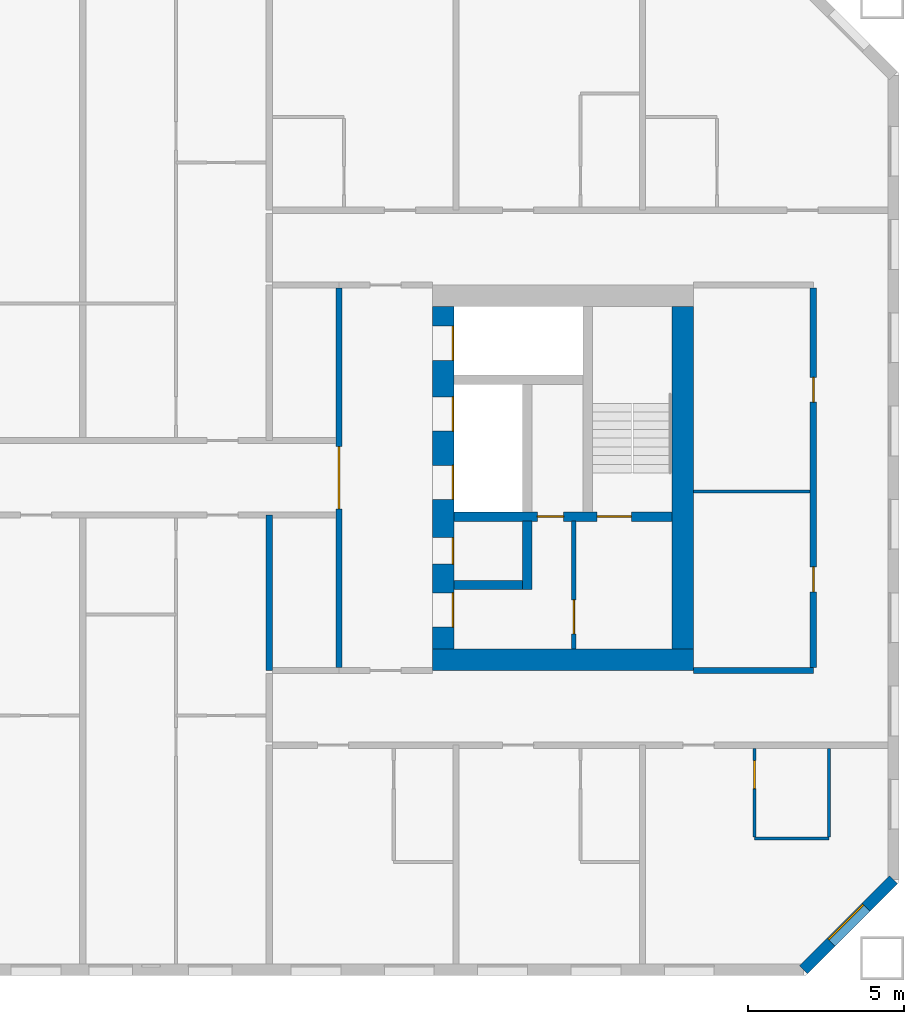
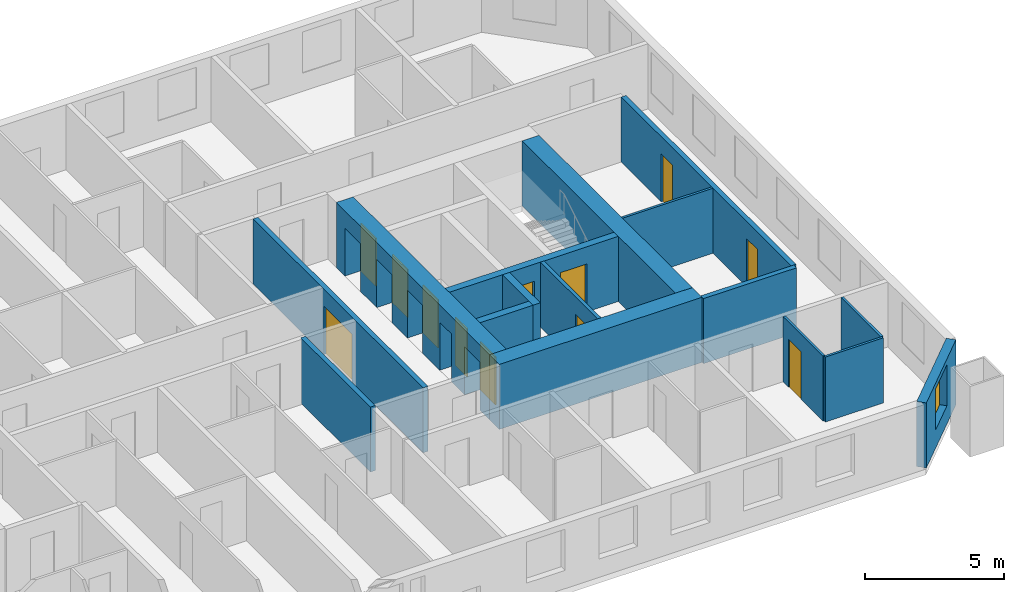
# One storey, part 12 of 16: 16 walls, 12 doors, 1 window, 13 openings.
"""IFC4 building model written with IfcOpenShell, lengths in metres."""

from ifc_helpers import new_model, si_unit, direction, frame, frame_2d, origin, place, context, subcontext, project, spatial, rectangle, extrude, material, layer, layer_set, type_object, element, fill, save


model = new_model("IFC4")

# Units and contexts
model_context = context("Model", 3, precision=1e-05, world=origin(), true_north=direction((0.0, 1.0)))
body_context = subcontext(model_context, "Body", "Model", "MODEL_VIEW")
ifc_project = project(units=[si_unit("LENGTHUNIT", "METRE"), si_unit("AREAUNIT", "SQUARE_METRE"), si_unit("VOLUMEUNIT", "CUBIC_METRE"), si_unit("PLANEANGLEUNIT", "RADIAN"), si_unit("MASSUNIT", "GRAM", prefix="KILO")], contexts=[model_context])

# Site, building, storey
site_placement = place(None, origin())
site = spatial("IfcSite", under=ifc_project, at=site_placement, CompositionType="ELEMENT")
building_placement = place(site_placement, origin())
building = spatial("IfcBuilding", under=site, at=building_placement, Name="Tuart Gate Housing", CompositionType="ELEMENT")
storey_placement = place(building_placement, frame((0.0, 0.0, 87.10009765625)))
storey = spatial("IfcBuildingStorey", under=building, at=storey_placement, Name="L24", CompositionType="ELEMENT", Elevation=87.10009765625)

# Wall, opening, window
ifc_material_1 = material(Name="Brick", Category="masonry")
ifc_layer_1 = layer(ifc_material_1, 0.360107421875)
ifc_layer_set_1 = layer_set([ifc_layer_1], Name="Brick pier and spandrel wall 360")
wall_type_1 = type_object("IfcWallType", Name="Brick pier and spandrel wall 360", PredefinedType="STANDARD", material=ifc_layer_set_1)
wall_1_placement = place(storey_placement, frame((172.17529296875, 54.179931640625, 0.0), z_axis=(0.0, 0.0, 1.0), x_axis=(0.707106781187, 0.707106781187, 0.0)))
wall_1 = element("IfcWall", 1, at=wall_1_placement, inside=storey, type_object=wall_type_1, Name="External wall B-SE L24", PredefinedType="STANDARD", context=body_context, shape_type="SweptSolid", body=[
    extrude(rectangle(XDim=4.09375, YDim=0.360107421875, at=frame_2d((2.046875, 0.0))), origin(), (0.0, 0.0, 1.0), 2.849853515625),
])
opening_1_placement = place(wall_1_placement, frame((1.2470703125, 0.0, 0.800048828125)))
opening_1 = element("IfcOpeningElement", 2, at=opening_1_placement, cuts=wall_1, Name="Opening W1", PredefinedType="OPENING", context=body_context, shape_type="SweptSolid", body=[
    extrude(rectangle(XDim=1.60009765625, YDim=1.800048828125, at=frame_2d((0.800048828125, 0.89990234375))), frame((0.0, 0.18994140625, 0.0), z_axis=(0.0, -1.0, 0.0), x_axis=(1.0, 0.0, 0.0)), (0.0, 0.0, 1.0), 0.380126953125),
])
ifc_material_2 = material(Name="Aluminium frame with clear glass", Category="aluminium")
window_type = type_object("IfcWindowType", Name="Punched window 1600 x 1800", PartitioningType="SINGLE_PANEL", PredefinedType="WINDOW", material=ifc_material_2)
window_placement = place(opening_1_placement, origin())
window = element("IfcWindow", 3, at=window_placement, inside=storey, type_object=window_type, Name="Window W1", OverallHeight=1.800048828125, OverallWidth=1.60009765625, PartitioningType="SINGLE_PANEL", PredefinedType="WINDOW", context=body_context, shape_type="SweptSolid", body=[
    extrude(rectangle(XDim=1.60009765625, YDim=1.800048828125, at=frame_2d((0.800048828125, 0.89990234375))), frame((0.0, 0.150146484375, 0.0), z_axis=(0.0, -1.0, 0.0), x_axis=(1.0, 0.0, 0.0)), (0.0, 0.0, 1.0), 0.06005859375),
])
fill(opening_1, window)

# Wall, opening, door
ifc_material_3 = material(Name="Plasterboard partition")
ifc_layer_2 = layer(ifc_material_3, 0.14990234375)
ifc_layer_set_2 = layer_set([ifc_layer_2], Name="Core partition 150")
wall_type_2 = type_object("IfcWallType", Name="Core partition 150", PredefinedType="PARTITIONING", material=ifc_layer_set_2)
wall_2_placement = place(storey_placement, frame((164.7900390625, 68.60009765625, 0.0), z_axis=(0.0, 0.0, 1.0), x_axis=(0.0, -1.0, 0.0)))
wall_2 = element("IfcWall", 4, at=wall_2_placement, inside=storey, type_object=wall_type_2, Name="Core partition BK.6", PredefinedType="PARTITIONING", context=body_context, shape_type="SweptSolid", body=[
    extrude(rectangle(XDim=4.10009765625, YDim=0.14990234375, at=frame_2d((2.050048828125, 0.0))), origin(), (0.0, 0.0, 1.0), 2.849853515625),
])
opening_2_placement = place(wall_2_placement, frame((2.52490234375, 0.0, 0.0)))
opening_2 = element("IfcOpeningElement", 5, at=opening_2_placement, cuts=wall_2, Name="Opening D1047", PredefinedType="OPENING", context=body_context, shape_type="SweptSolid", body=[
    extrude(rectangle(XDim=1.10009765625, YDim=2.10009765625, at=frame_2d((0.550048828125, 1.050048828125))), frame((0.0, 0.0849609375, 0.0), z_axis=(0.0, -1.0, 0.0), x_axis=(1.0, 0.0, 0.0)), (0.0, 0.0, 1.0), 0.169921875),
])
ifc_material_4 = material(Name="Steel fire door", Category="steel")
door_type_1 = type_object("IfcDoorType", Name="Lobby door 1100 x 2100 RH", OperationType="SINGLE_SWING_RIGHT", PredefinedType="DOOR", material=ifc_material_4)
door_1_placement = place(opening_2_placement, origin())
door_1 = element("IfcDoor", 6, at=door_1_placement, inside=storey, type_object=door_type_1, Name="Smoke lobby door BK.KD", OperationType="SINGLE_SWING_RIGHT", OverallHeight=2.10009765625, OverallWidth=1.10009765625, PredefinedType="DOOR", context=body_context, shape_type="SweptSolid", body=[
    extrude(rectangle(XDim=1.10009765625, YDim=2.10009765625, at=frame_2d((0.550048828125, 1.050048828125))), frame((0.0, 0.02490234375, 0.0), z_axis=(0.0, -1.0, 0.0), x_axis=(1.0, 0.0, 0.0)), (0.0, 0.0, 1.0), 0.050048828125),
])
fill(opening_2, door_1)

# Wall, openings, doors
ifc_material_5 = material(Name="Concrete C50", Category="concrete")
ifc_layer_3 = layer(ifc_material_5, 0.300048828125)
ifc_layer_set_3 = layer_set([ifc_layer_3], Name="Core wall 300 C50")
wall_type_3 = type_object("IfcWallType", Name="Core wall 300 C50", PredefinedType="SHEAR", material=ifc_layer_set_3)
wall_3_placement = place(storey_placement, frame((160.93994140625, 68.75, 0.0), z_axis=(0.0, 0.0, 1.0), x_axis=(1.0, 0.0, 0.0)))
wall_3 = element("IfcWall", 7, at=wall_3_placement, inside=storey, type_object=wall_type_3, Name="Core wall BK.2", PredefinedType="SHEAR", context=body_context, shape_type="SweptSolid", body=[
    extrude(rectangle(XDim=7.0, YDim=0.300048828125, at=frame_2d((3.5, 0.0))), origin(), (0.0, 0.0, 1.0), 2.849853515625),
])
opening_3_placement = place(wall_3_placement, frame((4.60009765625, 0.0, 0.0)))
opening_3 = element("IfcOpeningElement", 8, at=opening_3_placement, cuts=wall_3, Name="Opening D1046", PredefinedType="OPENING", context=body_context, shape_type="SweptSolid", body=[
    extrude(rectangle(XDim=1.10009765625, YDim=2.10009765625, at=frame_2d((0.550048828125, 1.050048828125))), frame((0.0, 0.159912109375, 0.0), z_axis=(0.0, -1.0, 0.0), x_axis=(1.0, 0.0, 0.0)), (0.0, 0.0, 1.0), 0.320068359375),
])
opening_4_placement = place(wall_3_placement, frame((2.675048828125, 0.0, 0.0)))
opening_4 = element("IfcOpeningElement", 9, at=opening_4_placement, cuts=wall_3, Name="Opening D1045", PredefinedType="OPENING", context=body_context, shape_type="SweptSolid", body=[
    extrude(rectangle(XDim=0.85009765625, YDim=2.10009765625, at=frame_2d((0.425048828125, 1.050048828125))), frame((0.0, 0.159912109375, 0.0), z_axis=(0.0, -1.0, 0.0), x_axis=(1.0, 0.0, 0.0)), (0.0, 0.0, 1.0), 0.320068359375),
])
ifc_material_6 = material(Name="Steel fire door", Category="steel")
door_type_2 = type_object("IfcDoorType", Name="Riser door 850 x 2100", OperationType="SINGLE_SWING_LEFT", PredefinedType="DOOR", material=ifc_material_6)
door_2_placement = place(opening_4_placement, origin())
door_2 = element("IfcDoor", 10, at=door_2_placement, inside=storey, type_object=door_type_2, Name="Service room door BK.W1", OperationType="SINGLE_SWING_LEFT", OverallHeight=2.10009765625, OverallWidth=0.85009765625, PredefinedType="DOOR", context=body_context, shape_type="SweptSolid", body=[
    extrude(rectangle(XDim=0.85009765625, YDim=2.10009765625, at=frame_2d((0.425048828125, 1.050048828125))), frame((0.0, 0.02490234375, 0.0), z_axis=(0.0, -1.0, 0.0), x_axis=(1.0, 0.0, 0.0)), (0.0, 0.0, 1.0), 0.050048828125),
])
fill(opening_4, door_2)
ifc_material_7 = material(Name="Steel fire door", Category="steel")
door_type_3 = type_object("IfcDoorType", Name="Stair door 1100 x 2100", OperationType="SINGLE_SWING_LEFT", PredefinedType="DOOR", material=ifc_material_7)
door_3_placement = place(opening_3_placement, origin())
door_3 = element("IfcDoor", 11, at=door_3_placement, inside=storey, type_object=door_type_3, Name="Stair door BK.SD", OperationType="SINGLE_SWING_LEFT", OverallHeight=2.10009765625, OverallWidth=1.10009765625, PredefinedType="DOOR", context=body_context, shape_type="SweptSolid", body=[
    extrude(rectangle(XDim=1.10009765625, YDim=2.10009765625, at=frame_2d((0.550048828125, 1.050048828125))), frame((0.0, 0.02490234375, 0.0), z_axis=(0.0, -1.0, 0.0), x_axis=(1.0, 0.0, 0.0)), (0.0, 0.0, 1.0), 0.050048828125),
])
fill(opening_3, door_3)

# Walls
wall_4_placement = place(storey_placement, frame((160.93994140625, 66.550048828125, 0.0), z_axis=(0.0, 0.0, 1.0), x_axis=(1.0, 0.0, 0.0)))
element("IfcWall", 12, at=wall_4_placement, inside=storey, type_object=wall_type_3, Name="Core wall BK.3", PredefinedType="SHEAR", context=body_context, shape_type="SweptSolid", body=[
    extrude(rectangle(XDim=2.199951171875, YDim=0.300048828125, at=frame_2d((1.10009765625, 0.0))), origin(), (0.0, 0.0, 1.0), 2.849853515625),
])
wall_5_placement = place(storey_placement, frame((163.2900390625, 68.60009765625, 0.0), z_axis=(0.0, 0.0, 1.0), x_axis=(0.0, -1.0, 0.0)))
element("IfcWall", 13, at=wall_5_placement, inside=storey, type_object=wall_type_3, Name="Core wall BK.5", PredefinedType="SHEAR", context=body_context, shape_type="SweptSolid", body=[
    extrude(rectangle(XDim=2.2001953125, YDim=0.300048828125, at=frame_2d((1.10009765625, 0.0))), origin(), (0.0, 0.0, 1.0), 2.849853515625),
])

# Wall, openings, doors
ifc_material_8 = material(Name="Concrete C50", Category="concrete")
ifc_layer_4 = layer(ifc_material_8, 0.699951171875)
ifc_layer_set_4 = layer_set([ifc_layer_4], Name="Core wall 700 C50")
wall_type_4 = type_object("IfcWallType", Name="Core wall 700 C50", PredefinedType="SHEAR", material=ifc_layer_set_4)
wall_6_placement = place(storey_placement, frame((160.590087890625, 75.5, 0.0), z_axis=(0.0, 0.0, 1.0), x_axis=(0.0, -1.0, 0.0)))
wall_6 = element("IfcWall", 14, at=wall_6_placement, inside=storey, type_object=wall_type_4, Name="Core wall BK front", PredefinedType="SHEAR", context=body_context, shape_type="SweptSolid", body=[
    extrude(rectangle(XDim=11.0, YDim=0.699951171875, at=frame_2d((5.5, 0.0))), origin(), (0.0, 0.0, 1.0), 2.849853515625),
])
opening_5_placement = place(wall_6_placement, frame((0.625, 0.0, 0.0)))
opening_5 = element("IfcOpeningElement", 15, at=opening_5_placement, cuts=wall_6, Name="Opening LD-FB2", PredefinedType="OPENING", context=body_context, shape_type="SweptSolid", body=[
    extrude(rectangle(XDim=1.10009765625, YDim=2.10009765625, at=frame_2d((0.550048828125, 1.050048828125))), frame((0.0, 0.35986328125, 0.0), z_axis=(0.0, -1.0, 0.0), x_axis=(1.0, 0.0, 0.0)), (0.0, 0.0, 1.0), 0.719970703125),
])
opening_6_placement = place(wall_6_placement, frame((2.89990234375, 0.0, 0.0)))
opening_6 = element("IfcOpeningElement", 16, at=opening_6_placement, cuts=wall_6, Name="Opening LD-LB3", PredefinedType="OPENING", context=body_context, shape_type="SweptSolid", body=[
    extrude(rectangle(XDim=1.10009765625, YDim=2.10009765625, at=frame_2d((0.550048828125, 1.050048828125))), frame((0.0, 0.35986328125, 0.0), z_axis=(0.0, -1.0, 0.0), x_axis=(1.0, 0.0, 0.0)), (0.0, 0.0, 1.0), 0.719970703125),
])
opening_7_placement = place(wall_6_placement, frame((5.10009765625, 0.0, 0.0)))
opening_7 = element("IfcOpeningElement", 17, at=opening_7_placement, cuts=wall_6, Name="Opening LD-LB4", PredefinedType="OPENING", context=body_context, shape_type="SweptSolid", body=[
    extrude(rectangle(XDim=1.10009765625, YDim=2.10009765625, at=frame_2d((0.550048828125, 1.050048828125))), frame((0.0, 0.35986328125, 0.0), z_axis=(0.0, -1.0, 0.0), x_axis=(1.0, 0.0, 0.0)), (0.0, 0.0, 1.0), 0.719970703125),
])
opening_8_placement = place(wall_6_placement, frame((9.199951171875, 0.0, 0.0)))
opening_8 = element("IfcOpeningElement", 18, at=opening_8_placement, cuts=wall_6, Name="Opening D1039", PredefinedType="OPENING", context=body_context, shape_type="SweptSolid", body=[
    extrude(rectangle(XDim=1.10009765625, YDim=2.10009765625, at=frame_2d((0.550048828125, 1.050048828125))), frame((0.0, 0.35986328125, 0.0), z_axis=(0.0, -1.0, 0.0), x_axis=(1.0, 0.0, 0.0)), (0.0, 0.0, 1.0), 0.719970703125),
])
opening_9_placement = place(wall_6_placement, frame((7.425048828125, 0.0, 0.0)))
opening_9 = element("IfcOpeningElement", 19, at=opening_9_placement, cuts=wall_6, Name="Opening D1040", PredefinedType="OPENING", context=body_context, shape_type="SweptSolid", body=[
    extrude(rectangle(XDim=0.85009765625, YDim=2.10009765625, at=frame_2d((0.425048828125, 1.050048828125))), frame((0.0, 0.35986328125, 0.0), z_axis=(0.0, -1.0, 0.0), x_axis=(1.0, 0.0, 0.0)), (0.0, 0.0, 1.0), 0.719970703125),
])
ifc_material_9 = material(Name="Stainless steel", Category="steel")
door_type_4 = type_object("IfcDoorType", Name="Landing door 1100 x 2100", OperationType="DOUBLE_DOOR_SLIDING", PredefinedType="DOOR", material=ifc_material_9)
door_4_placement = place(opening_5_placement, origin())
door_4 = element("IfcDoor", 20, at=door_4_placement, inside=storey, type_object=door_type_4, Name="Lift landing door FB2", OperationType="DOUBLE_DOOR_SLIDING", OverallHeight=2.10009765625, OverallWidth=1.10009765625, PredefinedType="DOOR", context=body_context, shape_type="SweptSolid", body=[
    extrude(rectangle(XDim=1.10009765625, YDim=2.10009765625, at=frame_2d((0.550048828125, 1.050048828125))), frame((0.0, 0.3349609375, 0.0), z_axis=(0.0, -1.0, 0.0), x_axis=(1.0, 0.0, 0.0)), (0.0, 0.0, 1.0), 0.050048828125),
])
fill(opening_5, door_4)
door_5_placement = place(opening_6_placement, origin())
door_5 = element("IfcDoor", 21, at=door_5_placement, inside=storey, type_object=door_type_4, Name="Lift landing door LB3", OperationType="DOUBLE_DOOR_SLIDING", OverallHeight=2.10009765625, OverallWidth=1.10009765625, PredefinedType="DOOR", context=body_context, shape_type="SweptSolid", body=[
    extrude(rectangle(XDim=1.10009765625, YDim=2.10009765625, at=frame_2d((0.550048828125, 1.050048828125))), frame((0.0, 0.3349609375, 0.0), z_axis=(0.0, -1.0, 0.0), x_axis=(1.0, 0.0, 0.0)), (0.0, 0.0, 1.0), 0.050048828125),
])
fill(opening_6, door_5)
door_6_placement = place(opening_7_placement, origin())
door_6 = element("IfcDoor", 22, at=door_6_placement, inside=storey, type_object=door_type_4, Name="Lift landing door LB4", OperationType="DOUBLE_DOOR_SLIDING", OverallHeight=2.10009765625, OverallWidth=1.10009765625, PredefinedType="DOOR", context=body_context, shape_type="SweptSolid", body=[
    extrude(rectangle(XDim=1.10009765625, YDim=2.10009765625, at=frame_2d((0.550048828125, 1.050048828125))), frame((0.0, 0.3349609375, 0.0), z_axis=(0.0, -1.0, 0.0), x_axis=(1.0, 0.0, 0.0)), (0.0, 0.0, 1.0), 0.050048828125),
])
fill(opening_7, door_6)
ifc_material_10 = material(Name="Steel fire door", Category="steel")
door_type_5 = type_object("IfcDoorType", Name="Lobby door 1100 x 2100", OperationType="SINGLE_SWING_LEFT", PredefinedType="DOOR", material=ifc_material_10)
door_7_placement = place(opening_8_placement, origin())
door_7 = element("IfcDoor", 23, at=door_7_placement, inside=storey, type_object=door_type_5, Name="Lobby entry door BK.EN", OperationType="SINGLE_SWING_LEFT", OverallHeight=2.10009765625, OverallWidth=1.10009765625, PredefinedType="DOOR", context=body_context, shape_type="SweptSolid", body=[
    extrude(rectangle(XDim=1.10009765625, YDim=2.10009765625, at=frame_2d((0.550048828125, 1.050048828125))), frame((0.0, 0.3349609375, 0.0), z_axis=(0.0, -1.0, 0.0), x_axis=(1.0, 0.0, 0.0)), (0.0, 0.0, 1.0), 0.050048828125),
])
fill(opening_8, door_7)
ifc_material_11 = material(Name="Steel fire door", Category="steel")
door_type_6 = type_object("IfcDoorType", Name="Service door 850 x 2100", OperationType="SINGLE_SWING_LEFT", PredefinedType="DOOR", material=ifc_material_11)
door_8_placement = place(opening_9_placement, origin())
door_8 = element("IfcDoor", 24, at=door_8_placement, inside=storey, type_object=door_type_6, Name="Service room door BK.T1", OperationType="SINGLE_SWING_LEFT", OverallHeight=2.10009765625, OverallWidth=0.85009765625, PredefinedType="DOOR", context=body_context, shape_type="SweptSolid", body=[
    extrude(rectangle(XDim=0.85009765625, YDim=2.10009765625, at=frame_2d((0.425048828125, 1.050048828125))), frame((0.0, 0.3349609375, 0.0), z_axis=(0.0, -1.0, 0.0), x_axis=(1.0, 0.0, 0.0)), (0.0, 0.0, 1.0), 0.050048828125),
])
fill(opening_9, door_8)

# Walls
wall_7_placement = place(storey_placement, frame((168.2900390625, 75.5, 0.0), z_axis=(0.0, 0.0, 1.0), x_axis=(0.0, -1.0, 0.0)))
element("IfcWall", 25, at=wall_7_placement, inside=storey, type_object=wall_type_4, Name="Core wall BK back", PredefinedType="SHEAR", context=body_context, shape_type="SweptSolid", body=[
    extrude(rectangle(XDim=11.0, YDim=0.699951171875, at=frame_2d((5.5, 0.0))), origin(), (0.0, 0.0, 1.0), 2.849853515625),
])
wall_8_placement = place(storey_placement, frame((160.239990234375, 64.14990234375, 0.0), z_axis=(0.0, 0.0, 1.0), x_axis=(1.0, 0.0, 0.0)))
element("IfcWall", 26, at=wall_8_placement, inside=storey, type_object=wall_type_4, Name="Core wall BK north", PredefinedType="SHEAR", context=body_context, shape_type="SweptSolid", body=[
    extrude(rectangle(XDim=8.39990234375, YDim=0.699951171875, at=frame_2d((4.199951171875, 0.0))), origin(), (0.0, 0.0, 1.0), 2.849853515625),
])
ifc_material_12 = material(Name="Concrete masonry 15 MPa", Category="masonry")
ifc_layer_5 = layer(ifc_material_12, 0.199951171875)
ifc_layer_set_5 = layer_set([ifc_layer_5], Name="Corridor wall masonry 200")
wall_type_5 = type_object("IfcWallType", Name="Corridor wall masonry 200", PredefinedType="PARTITIONING", material=ifc_layer_set_5)
wall_9_placement = place(storey_placement, frame((168.639892578125, 63.800048828125, 0.0), z_axis=(0.0, 0.0, 1.0), x_axis=(1.0, 0.0, 0.0)))
element("IfcWall", 27, at=wall_9_placement, inside=storey, type_object=wall_type_5, Name="Corridor wall masonry 200", PredefinedType="PARTITIONING", context=body_context, shape_type="SweptSolid", body=[
    extrude(rectangle(XDim=3.85009765625, YDim=0.199951171875, at=frame_2d((1.925048828125, 0.0))), origin(), (0.0, 0.0, 1.0), 2.849853515625),
])

# Wall, openings, doors
wall_10_placement = place(storey_placement, frame((172.489990234375, 63.89990234375, 0.0), z_axis=(0.0, 0.0, 1.0), x_axis=(0.0, 1.0, 0.0)))
wall_10 = element("IfcWall", 28, at=wall_10_placement, inside=storey, type_object=wall_type_5, Name="Corridor wall masonry 200", PredefinedType="PARTITIONING", context=body_context, shape_type="SweptSolid", body=[
    extrude(rectangle(XDim=12.2001953125, YDim=0.199951171875, at=frame_2d((6.10009765625, 0.0))), origin(), (0.0, 0.0, 1.0), 2.849853515625),
])
opening_10_placement = place(wall_10_placement, frame((2.429931640625, 0.0, 0.0)))
opening_10 = element("IfcOpeningElement", 29, at=opening_10_placement, cuts=wall_10, Name="Opening D1041", PredefinedType="OPENING", context=body_context, shape_type="SweptSolid", body=[
    extrude(rectangle(XDim=0.800048828125, YDim=2.10009765625, at=frame_2d((0.39990234375, 1.050048828125))), frame((0.0, 0.10986328125, 0.0), z_axis=(0.0, -1.0, 0.0), x_axis=(1.0, 0.0, 0.0)), (0.0, 0.0, 1.0), 0.219970703125),
])
opening_11_placement = place(wall_10_placement, frame((8.530029296875, 0.0, 0.0)))
opening_11 = element("IfcOpeningElement", 30, at=opening_11_placement, cuts=wall_10, Name="Opening D1042", PredefinedType="OPENING", context=body_context, shape_type="SweptSolid", body=[
    extrude(rectangle(XDim=0.800048828125, YDim=2.10009765625, at=frame_2d((0.39990234375, 1.050048828125))), frame((0.0, 0.10986328125, 0.0), z_axis=(0.0, -1.0, 0.0), x_axis=(1.0, 0.0, 0.0)), (0.0, 0.0, 1.0), 0.219970703125),
])
ifc_material_13 = material(Name="Timber door leaf in steel frame", Category="steel")
door_type_7 = type_object("IfcDoorType", Name="Store door 800", OperationType="SINGLE_SWING_LEFT", PredefinedType="DOOR", material=ifc_material_13)
door_9_placement = place(opening_11_placement, origin())
door_9 = element("IfcDoor", 31, at=door_9_placement, inside=storey, type_object=door_type_7, Name="Store door", OperationType="SINGLE_SWING_LEFT", OverallHeight=2.10009765625, OverallWidth=0.800048828125, PredefinedType="DOOR", context=body_context, shape_type="SweptSolid", body=[
    extrude(rectangle(XDim=0.800048828125, YDim=2.10009765625, at=frame_2d((0.39990234375, 1.050048828125))), frame((0.0, 0.02490234375, 0.0), z_axis=(0.0, -1.0, 0.0), x_axis=(1.0, 0.0, 0.0)), (0.0, 0.0, 1.0), 0.050048828125),
])
fill(opening_11, door_9)
ifc_material_14 = material(Name="Timber door leaf in steel frame", Category="steel")
door_type_8 = type_object("IfcDoorType", Name="Store door 800 RH", OperationType="SINGLE_SWING_RIGHT", PredefinedType="DOOR", material=ifc_material_14)
door_10_placement = place(opening_10_placement, origin())
door_10 = element("IfcDoor", 32, at=door_10_placement, inside=storey, type_object=door_type_8, Name="Store door", OperationType="SINGLE_SWING_RIGHT", OverallHeight=2.10009765625, OverallWidth=0.800048828125, PredefinedType="DOOR", context=body_context, shape_type="SweptSolid", body=[
    extrude(rectangle(XDim=0.800048828125, YDim=2.10009765625, at=frame_2d((0.39990234375, 1.050048828125))), frame((0.0, 0.02490234375, 0.0), z_axis=(0.0, -1.0, 0.0), x_axis=(1.0, 0.0, 0.0)), (0.0, 0.0, 1.0), 0.050048828125),
])
fill(opening_10, door_10)

# Wall, opening, door
ifc_material_15 = material(Name="Plasterboard partition")
ifc_layer_6 = layer(ifc_material_15, 0.199951171875)
ifc_layer_set_6 = layer_set([ifc_layer_6], Name="Lobby wall 200")
wall_type_6 = type_object("IfcWallType", Name="Lobby wall 200", PredefinedType="PARTITIONING", material=ifc_layer_set_6)
wall_11_placement = place(storey_placement, frame((157.239990234375, 63.89990234375, 0.0), z_axis=(0.0, 0.0, 1.0), x_axis=(0.0, 1.0, 0.0)))
wall_11 = element("IfcWall", 33, at=wall_11_placement, inside=storey, type_object=wall_type_6, Name="Lift lobby wall BK", PredefinedType="PARTITIONING", context=body_context, shape_type="SweptSolid", body=[
    extrude(rectangle(XDim=12.2001953125, YDim=0.199951171875, at=frame_2d((6.10009765625, 0.0))), origin(), (0.0, 0.0, 1.0), 2.849853515625),
])
opening_12_placement = place(wall_11_placement, frame((5.10009765625, 0.0, 0.0)))
opening_12 = element("IfcOpeningElement", 34, at=opening_12_placement, cuts=wall_11, Name="Opening D1038", PredefinedType="OPENING", context=body_context, shape_type="SweptSolid", body=[
    extrude(rectangle(XDim=2.0, YDim=2.10009765625, at=frame_2d((1.0, 1.050048828125))), frame((0.0, 0.10986328125, 0.0), z_axis=(0.0, -1.0, 0.0), x_axis=(1.0, 0.0, 0.0)), (0.0, 0.0, 1.0), 0.219970703125),
])
ifc_material_16 = material(Name="Steel fire door", Category="steel")
door_type_9 = type_object("IfcDoorType", Name="Smoke door 2000 x 2100", OperationType="DOUBLE_DOOR_SINGLE_SWING", PredefinedType="DOOR", material=ifc_material_16)
door_11_placement = place(opening_12_placement, frame((2.0, 0.0, 0.0), z_axis=(0.0, 0.0, 1.0), x_axis=(-1.0, 0.0, 0.0)))
door_11 = element("IfcDoor", 35, at=door_11_placement, inside=storey, type_object=door_type_9, Name="Lift lobby smoke door BK", OperationType="DOUBLE_DOOR_SINGLE_SWING", OverallHeight=2.10009765625, OverallWidth=2.0, PredefinedType="DOOR", context=body_context, shape_type="SweptSolid", body=[
    extrude(rectangle(XDim=2.0, YDim=2.10009765625, at=frame_2d((1.0, 1.050048828125))), frame((0.0, 0.025146484375, 0.0), z_axis=(0.0, -1.0, 0.0), x_axis=(1.0, 0.0, 0.0)), (0.0, 0.0, 1.0), 0.050048828125),
])
fill(opening_12, door_11)

# Walls
ifc_material_17 = material(Name="Gypsum board on steel studs", Category="steel")
ifc_layer_7 = layer(ifc_material_17, 0.10009765625)
ifc_layer_set_7 = layer_set([ifc_layer_7], Name="Partition 100")
wall_type_7 = type_object("IfcWallType", Name="Partition 100", PredefinedType="PARTITIONING", material=ifc_layer_set_7)
wall_12_placement = place(storey_placement, frame((170.60009765625, 58.39990234375, 0.0), z_axis=(0.0, 0.0, 1.0), x_axis=(1.0, 0.0, 0.0)))
element("IfcWall", 36, at=wall_12_placement, inside=storey, type_object=wall_type_7, Name="Partition 100", PredefinedType="PARTITIONING", context=body_context, shape_type="SweptSolid", body=[
    extrude(rectangle(XDim=2.39990234375, YDim=0.10009765625, at=frame_2d((1.199951171875, 0.0))), origin(), (0.0, 0.0, 1.0), 2.849853515625),
])
wall_13_placement = place(storey_placement, frame((168.639892578125, 69.56005859375, 0.0), z_axis=(0.0, 0.0, 1.0), x_axis=(1.0, 0.0, 0.0)))
element("IfcWall", 37, at=wall_13_placement, inside=storey, type_object=wall_type_7, Name="Partition 100", PredefinedType="PARTITIONING", context=body_context, shape_type="SweptSolid", body=[
    extrude(rectangle(XDim=3.75, YDim=0.10009765625, at=frame_2d((1.875, 0.0))), origin(), (0.0, 0.0, 1.0), 2.849853515625),
])

# Wall, opening, door
wall_14_placement = place(storey_placement, frame((170.60009765625, 58.449951171875, 0.0), z_axis=(0.0, 0.0, 1.0), x_axis=(0.0, 1.0, 0.0)))
wall_14 = element("IfcWall", 38, at=wall_14_placement, inside=storey, type_object=wall_type_7, Name="Partition 100", PredefinedType="PARTITIONING", context=body_context, shape_type="SweptSolid", body=[
    extrude(rectangle(XDim=2.85009765625, YDim=0.10009765625, at=frame_2d((1.425048828125, 0.0))), origin(), (0.0, 0.0, 1.0), 2.849853515625),
])
opening_13_placement = place(wall_14_placement, frame((1.550048828125, 0.0, 0.0)))
opening_13 = element("IfcOpeningElement", 39, at=opening_13_placement, cuts=wall_14, Name="Opening D1061", PredefinedType="OPENING", context=body_context, shape_type="SweptSolid", body=[
    extrude(rectangle(XDim=0.89990234375, YDim=2.10009765625, at=frame_2d((0.449951171875, 1.050048828125))), frame((0.0, 0.06005859375, 0.0), z_axis=(0.0, -1.0, 0.0), x_axis=(1.0, 0.0, 0.0)), (0.0, 0.0, 1.0), 0.1201171875),
])
ifc_material_18 = material(Name="Timber door leaf in steel frame", Category="steel")
door_type_10 = type_object("IfcDoorType", Name="Bathroom door 900", OperationType="SINGLE_SWING_LEFT", PredefinedType="DOOR", material=ifc_material_18)
door_12_placement = place(opening_13_placement, frame((0.89990234375, 0.0, 0.0), z_axis=(0.0, 0.0, 1.0), x_axis=(-1.0, 0.0, 0.0)))
door_12 = element("IfcDoor", 40, at=door_12_placement, inside=storey, type_object=door_type_10, Name="Bathroom door", OperationType="SINGLE_SWING_LEFT", OverallHeight=2.10009765625, OverallWidth=0.89990234375, PredefinedType="DOOR", context=body_context, shape_type="SweptSolid", body=[
    extrude(rectangle(XDim=0.89990234375, YDim=2.10009765625, at=frame_2d((0.449951171875, 1.050048828125))), frame((0.0, 0.025146484375, 0.0), z_axis=(0.0, -1.0, 0.0), x_axis=(1.0, 0.0, 0.0)), (0.0, 0.0, 1.0), 0.050048828125),
])
fill(opening_13, door_12)

# Walls
wall_15_placement = place(storey_placement, frame((173.0, 58.449951171875, 0.0), z_axis=(0.0, 0.0, 1.0), x_axis=(0.0, 1.0, 0.0)))
element("IfcWall", 41, at=wall_15_placement, inside=storey, type_object=wall_type_7, Name="Partition 100", PredefinedType="PARTITIONING", context=body_context, shape_type="SweptSolid", body=[
    extrude(rectangle(XDim=2.85009765625, YDim=0.10009765625, at=frame_2d((1.425048828125, 0.0))), origin(), (0.0, 0.0, 1.0), 2.849853515625),
])
ifc_material_19 = material(Name="Concrete C40", Category="concrete")
ifc_layer_8 = layer(ifc_material_19, 0.199951171875)
ifc_layer_set_8 = layer_set([ifc_layer_8], Name="Party wall concrete C40 200")
wall_type_8 = type_object("IfcWallType", Name="Party wall concrete C40 200", PredefinedType="SOLIDWALL", material=ifc_layer_set_8)
wall_16_placement = place(storey_placement, frame((155.0, 63.800048828125, 0.0), z_axis=(0.0, 0.0, 1.0), x_axis=(0.0, 1.0, 0.0)))
element("IfcWall", 42, at=wall_16_placement, inside=storey, type_object=wall_type_8, Name="Party wall concrete C40 200", PredefinedType="SOLIDWALL", context=body_context, shape_type="SweptSolid", body=[
    extrude(rectangle(XDim=5.0, YDim=0.199951171875, at=frame_2d((2.5, 0.0))), origin(), (0.0, 0.0, 1.0), 2.849853515625),
])

save(model, "model.ifc")
